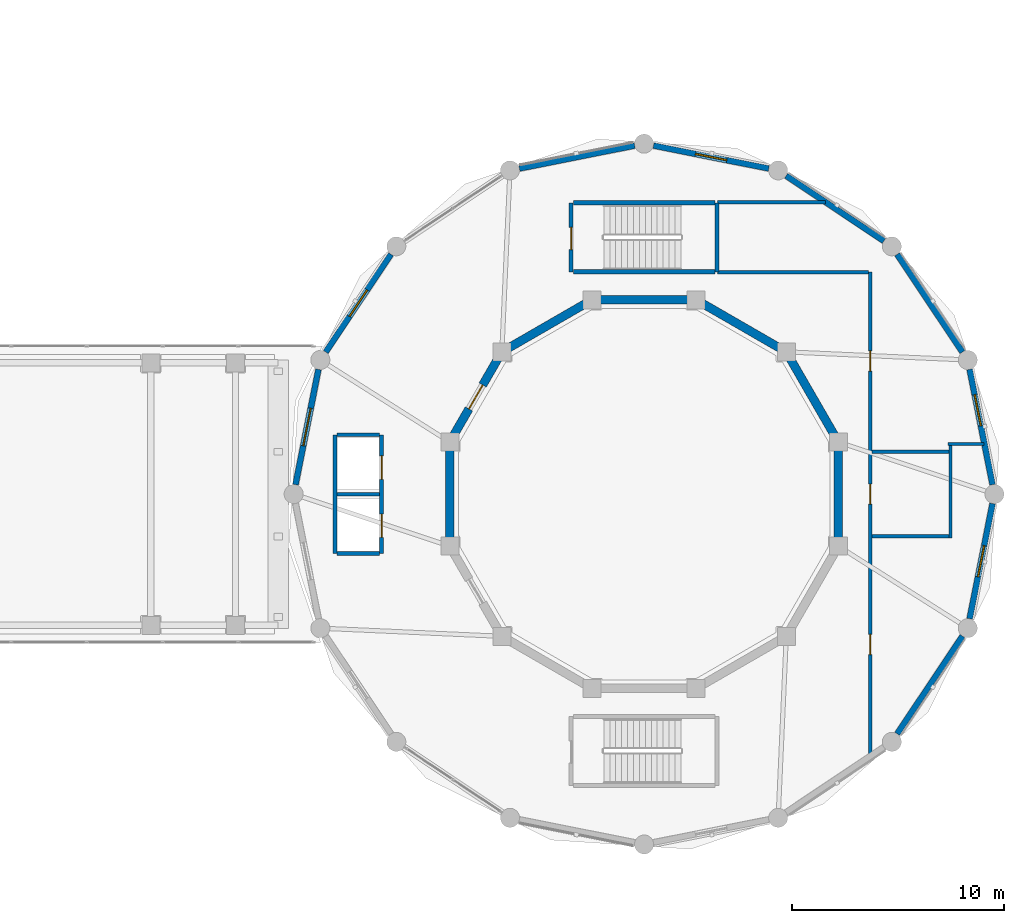
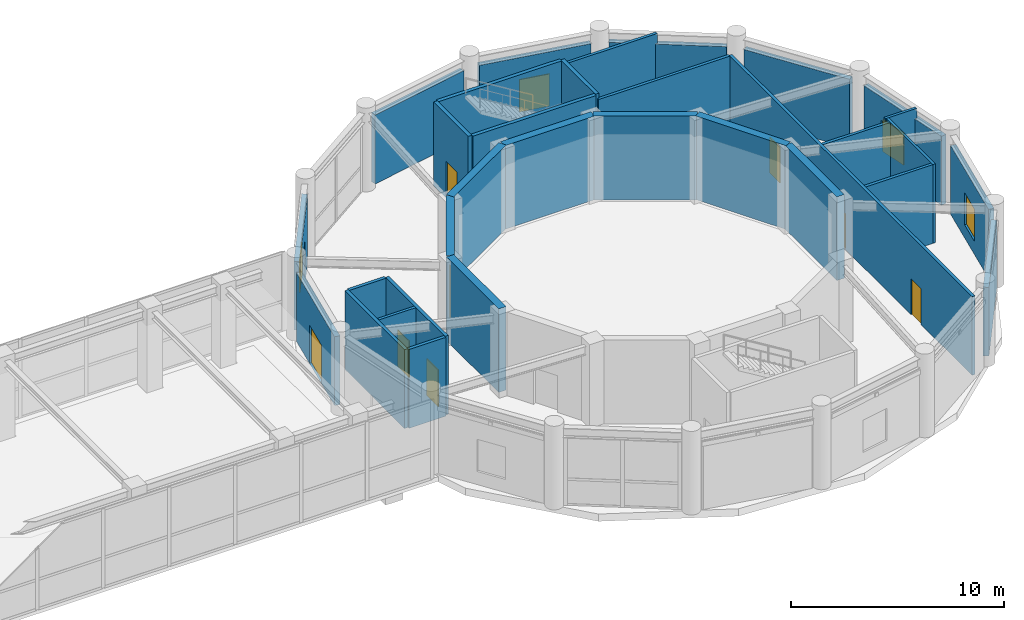
# One storey, part 36 of 48: 32 walls, 8 doors, 4 windows, 12 openings.
"""IFC4 building model written with IfcOpenShell, lengths in metres."""

from ifc_helpers import new_model, si_unit, derived_unit, direction, frame, frame_2d, origin, place, context, subcontext, project, spatial, rectangle, extrude, material, layer, layer_set, type_object, element, fill, save


model = new_model("IFC4")

# Units and contexts
model_context = context("Model", 3, precision=1e-05, world=origin(), true_north=direction((0.0, 1.0)))
body_context = subcontext(model_context, "Body", "Model", "MODEL_VIEW")
ifc_project = project(units=[si_unit("LENGTHUNIT", "METRE"), si_unit("AREAUNIT", "SQUARE_METRE"), si_unit("VOLUMEUNIT", "CUBIC_METRE"), si_unit("PLANEANGLEUNIT", "RADIAN"), si_unit("MASSUNIT", "GRAM", prefix="KILO"), derived_unit("THERMALTRANSMITTANCEUNIT", [(si_unit("POWERUNIT", "WATT"), 1), (si_unit("LENGTHUNIT", "METRE"), -2), (si_unit("THERMODYNAMICTEMPERATUREUNIT", "KELVIN"), -1)])], contexts=[model_context])

# Site, building, storey
site_placement = place(None, origin())
site = spatial("IfcSite", under=ifc_project, at=site_placement, CompositionType="ELEMENT")
building_placement = place(site_placement, origin())
building = spatial("IfcBuilding", under=site, at=building_placement, Name="Korsvarv Bourse and Concert Hall", CompositionType="ELEMENT")
storey_placement = place(building_placement, frame((0.0, 0.0, 4.800048828125)))
storey = spatial("IfcBuildingStorey", under=building, at=storey_placement, Name="L01", CompositionType="ELEMENT", Elevation=4.800048828125)

# Wall, opening, door
ifc_material_1 = material(Name="Concrete C50/60", Category="concrete")
ifc_layer_1 = layer(ifc_material_1, 0.3798828125)
ifc_layer_set_1 = layer_set([ifc_layer_1], Name="Concrete C50/60")
wall_type_1 = type_object("IfcWallType", Name="WL-CORE-380", PredefinedType="SHEAR", material=ifc_layer_set_1)
wall_1_placement = place(storey_placement, frame((103.35009765625, 46.5, 0.0), z_axis=(0.0, 0.0, 1.0), x_axis=(0.0, 1.0, 0.0)))
wall_1 = element("IfcWall", 1, at=wall_1_placement, inside=storey, type_object=wall_type_1, Name="L01 stair shaft structural wall W-L01-STCH1-W", PredefinedType="SHEAR", context=body_context, shape_type="SweptSolid", body=[
    extrude(rectangle(XDim=3.260009765625, YDim=0.199951171875, at=frame_2d((1.6298828125, 0.0))), origin(), (0.0, 0.0, 1.0), 4.800048828125),
])
opening_1_placement = place(wall_1_placement, frame((1.050048828125, 0.0, 0.0)))
opening_1 = element("IfcOpeningElement", 2, at=opening_1_placement, cuts=wall_1, Name="Opening D-01", PredefinedType="OPENING", context=body_context, shape_type="SweptSolid", body=[
    extrude(rectangle(XDim=1.050048828125, YDim=2.10009765625, at=frame_2d((0.52490234375, 1.050048828125))), frame((0.0, 0.10986328125, 0.0), z_axis=(0.0, -1.0, 0.0), x_axis=(1.0, 0.0, 0.0)), (0.0, 0.0, 1.0), 0.219970703125),
])
ifc_material_2 = material(Name="Steel S355 fire door", Category="steel")
door_type_1 = type_object("IfcDoorType", Name="DR-FD60", OperationType="NOTDEFINED", PredefinedType="DOOR", material=ifc_material_2)
door_1_placement = place(opening_1_placement, origin())
door_1 = element("IfcDoor", 3, at=door_1_placement, inside=storey, type_object=door_type_1, Name="L01 interior door DR-L01-STCH1", OperationType="SINGLE_SWING_LEFT", OverallHeight=2.10009765625, OverallWidth=1.050048828125, PredefinedType="DOOR", context=body_context, shape_type="SweptSolid", body=[
    extrude(rectangle(XDim=1.050048828125, YDim=2.10009765625, at=frame_2d((0.52490234375, 1.050048828125))), frame((0.0, 0.02490234375, 0.0), z_axis=(0.0, -1.0, 0.0), x_axis=(1.0, 0.0, 0.0)), (0.0, 0.0, 1.0), 0.050048828125),
])
fill(opening_1, door_1)

# Walls
for number, where, z_axis, x_axis, name in (
    (4, (103.4599609375, 49.760009765625, 0.0), (0.0, 0.0, 1.0), (1.0, 0.0, 0.0), "L01 stair shaft structural wall W-L01-STCH1-N"),
    (5, (103.4599609375, 46.5, 0.0), (0.0, 0.0, 1.0), (1.0, 0.0, 0.0), "L01 stair shaft structural wall W-L01-STCH1-S"),
):
    element("IfcWall", number, at=place(storey_placement, frame(where, z_axis=z_axis, x_axis=x_axis)), inside=storey, type_object=wall_type_1, Name=name, PredefinedType="SHEAR", context=body_context, shape_type="SweptSolid", body=[
        extrude(rectangle(XDim=6.679931640625, YDim=0.199951171875, at=frame_2d((3.33984375, 0.0))), origin(), (0.0, 0.0, 1.0), 4.800048828125),
    ])
wall_2_placement = place(storey_placement, frame((110.25, 46.5, 0.0), z_axis=(0.0, 0.0, 1.0), x_axis=(0.0, 1.0, 0.0)))
element("IfcWall", 6, at=wall_2_placement, inside=storey, type_object=wall_type_1, Name="L01 stair shaft structural wall W-L01-STCH1-E", PredefinedType="SHEAR", context=body_context, shape_type="SweptSolid", body=[
    extrude(rectangle(XDim=3.260009765625, YDim=0.199951171875, at=frame_2d((1.6298828125, 0.0))), origin(), (0.0, 0.0, 1.0), 4.800048828125),
])
ifc_layer_2 = layer(ifc_material_1, 0.39990234375)
ifc_layer_set_2 = layer_set([ifc_layer_2], Name="Concrete C50/60")
wall_type_2 = type_object("IfcWallType", Name="WL-DRM-400", PredefinedType="SOLIDWALL", material=ifc_layer_set_2)
for number, where, z_axis, x_axis, name in (
    (7, (115.976318359375, 38.458740234375, 0.0), (0.0, 0.0, 1.0), (-0.499988900423, 0.866031812033, 0.0), "L01 Concert Hall Acoustic Bowl Wall 1"),
    (8, (113.517578125, 42.717529296875, 0.0), (0.0, 0.0, 1.0), (-0.866031812033, 0.499988900423, 0.0), "L01 Concert Hall Acoustic Bowl Wall 2"),
    (9, (109.2587890625, 45.17626953125, 0.0), (0.0, 0.0, 1.0), (-1.0, 0.0, 0.0), "L01 Concert Hall Acoustic Bowl Wall 3"),
    (10, (104.34130859375, 45.17626953125, 0.0), (0.0, 0.0, 1.0), (-0.866031812033, -0.499988900423, 0.0), "L01 Concert Hall Acoustic Bowl Wall 4"),
):
    element("IfcWall", number, at=place(storey_placement, frame(where, z_axis=z_axis, x_axis=x_axis)), inside=storey, type_object=wall_type_2, Name=name, PredefinedType="SOLIDWALL", context=body_context, shape_type="SweptSolid", body=[
        extrude(rectangle(XDim=4.91748046875, YDim=0.39990234375, at=frame_2d((2.458740234375, 0.0))), origin(), (0.0, 0.0, 1.0), 4.800048828125),
    ])

# Wall, opening, door
wall_3_placement = place(storey_placement, frame((100.08251953125, 42.717529296875, 0.0), z_axis=(0.0, 0.0, 1.0), x_axis=(-0.499988900423, -0.866031812033, 0.0)))
wall_3 = element("IfcWall", 11, at=wall_3_placement, inside=storey, type_object=wall_type_2, Name="L01 Concert Hall Acoustic Bowl Wall 5", PredefinedType="SOLIDWALL", context=body_context, shape_type="SweptSolid", body=[
    extrude(rectangle(XDim=4.91748046875, YDim=0.39990234375, at=frame_2d((2.458740234375, 0.0))), origin(), (0.0, 0.0, 1.0), 4.800048828125),
])
opening_2_placement = place(wall_3_placement, frame((1.808837890625, 0.0, 0.0)))
opening_2 = element("IfcOpeningElement", 12, at=opening_2_placement, cuts=wall_3, Name="Opening D-04", PredefinedType="OPENING", context=body_context, shape_type="SweptSolid", body=[
    extrude(rectangle(XDim=1.300048828125, YDim=2.10009765625, at=frame_2d((0.64990234375, 1.050048828125))), frame((0.0, 0.2099609375, 0.0), z_axis=(0.0, -1.0, 0.0), x_axis=(1.0, 0.0, 0.0)), (0.0, 0.0, 1.0), 0.419921875),
])
ifc_material_3 = material(Name="Glazed aluminium double corridor door", Category="aluminium")
door_type_2 = type_object("IfcDoorType", Name="DR-INT-2", OperationType="DOUBLE_DOOR_SINGLE_SWING", PredefinedType="DOOR", material=ifc_material_3)
door_2_placement = place(opening_2_placement, frame((1.300048828125, 0.0, 0.0), z_axis=(0.0, 0.0, 1.0), x_axis=(-1.0, 0.0, 0.0)))
door_2 = element("IfcDoor", 13, at=door_2_placement, inside=storey, type_object=door_type_2, Name="L01 Symphony Auditorium acoustic door DR-L01-CHB1", OperationType="SINGLE_SWING_LEFT", OverallHeight=2.10009765625, OverallWidth=1.300048828125, PredefinedType="DOOR", context=body_context, shape_type="SweptSolid", body=[
    extrude(rectangle(XDim=1.300048828125, YDim=2.10009765625, at=frame_2d((0.64990234375, 1.050048828125))), frame((0.0, 0.02490234375, 0.0), z_axis=(0.0, -1.0, 0.0), x_axis=(1.0, 0.0, 0.0)), (0.0, 0.0, 1.0), 0.050048828125),
])
fill(opening_2, door_2)

# Walls
for number, where, z_axis, x_axis, name in (
    (14, (97.623779296875, 38.458740234375, 0.0), (0.0, 0.0, 1.0), (0.0, -1.0, 0.0), "L01 Concert Hall Acoustic Bowl Wall 6"),
    (15, (115.976318359375, 33.541259765625, 0.0), (0.0, 0.0, 1.0), (0.0, 1.0, 0.0), "L01 Concert Hall Acoustic Bowl Wall 12"),
):
    element("IfcWall", number, at=place(storey_placement, frame(where, z_axis=z_axis, x_axis=x_axis)), inside=storey, type_object=wall_type_2, Name=name, PredefinedType="SOLIDWALL", context=body_context, shape_type="SweptSolid", body=[
        extrude(rectangle(XDim=4.91748046875, YDim=0.39990234375, at=frame_2d((2.458740234375, 0.0))), origin(), (0.0, 0.0, 1.0), 4.800048828125),
    ])

# Wall, opening, window
ifc_material_4 = material(Name="Precast concrete C45/55 with fluted terracotta pier", Category="concrete")
ifc_layer_3 = layer(ifc_material_4, 0.280029296875)
ifc_layer_set_3 = layer_set([ifc_layer_3], Name="Precast concrete C45/55 with fluted terracotta pier")
wall_type_3 = type_object("IfcWallType", Name="WL-EXT-TC2", PredefinedType="SOLIDWALL", material=ifc_layer_set_3)
wall_4_placement = place(storey_placement, frame((123.26123046875, 36.4462890625, 0.0), z_axis=(0.0, 0.0, 1.0), x_axis=(-0.195091972221, 0.980784952156, 0.0)))
wall_4 = element("IfcWall", 16, at=wall_4_placement, inside=storey, type_object=wall_type_3, Name="L01 terracotta exterior wall EW-L01-CHD01", PredefinedType="SOLIDWALL", context=body_context, shape_type="SweptSolid", body=[
    extrude(rectangle(XDim=5.547607421875, YDim=0.280029296875, at=frame_2d((2.77392578125, 0.0))), origin(), (0.0, 0.0, 1.0), 3.949951171875),
])
opening_3_placement = place(wall_4_placement, frame((2.83544921875, 0.0, 0.75)))
opening_3 = element("IfcOpeningElement", 17, at=opening_3_placement, cuts=wall_4, Name="Opening W-04", PredefinedType="OPENING", context=body_context, shape_type="SweptSolid", body=[
    extrude(rectangle(XDim=1.5, YDim=1.85009765625, at=frame_2d((0.75, 0.925048828125))), frame((0.0, 0.14990234375, 0.0), z_axis=(0.0, -1.0, 0.0), x_axis=(1.0, 0.0, 0.0)), (0.0, 0.0, 1.0), 0.300048828125),
])
ifc_material_5 = material(Name="Thermally broken aluminium frame with triple low-E glass", Category="glass")
window_type = type_object("IfcWindowType", Name="WIN-POD2", PartitioningType="SINGLE_PANEL", PredefinedType="WINDOW", material=ifc_material_5)
window_1_placement = place(opening_3_placement, origin())
window_1 = element("IfcWindow", 18, at=window_1_placement, inside=storey, type_object=window_type, Name="L01 punched facade window W-04", OverallHeight=1.85009765625, OverallWidth=1.5, PartitioningType="SINGLE_PANEL", PredefinedType="WINDOW", context=body_context, shape_type="SweptSolid", body=[
    extrude(rectangle(XDim=1.5, YDim=1.85009765625, at=frame_2d((0.75, 0.925048828125))), frame((0.0, 0.030029296875, 0.0), z_axis=(0.0, -1.0, 0.0), x_axis=(1.0, 0.0, 0.0)), (0.0, 0.0, 1.0), 0.06005859375),
])
fill(opening_3, window_1)

# Walls
for number, where, z_axis, x_axis, name in (
    (19, (121.83740234375, 42.711669921875, 0.0), (0.0, 0.0, 1.0), (-0.555573305798, 0.831467559129, 0.0), "L01 terracotta exterior wall EW-L01-CHD02"),
    (20, (118.124267578125, 47.955322265625, 0.0), (0.0, 0.0, 1.0), (-0.831467559129, 0.555573305798, 0.0), "L01 terracotta exterior wall EW-L01-CHD03"),
):
    element("IfcWall", number, at=place(storey_placement, frame(where, z_axis=z_axis, x_axis=x_axis)), inside=storey, type_object=wall_type_3, Name=name, PredefinedType="SOLIDWALL", context=body_context, shape_type="SweptSolid", body=[
        extrude(rectangle(XDim=5.54736328125, YDim=0.280029296875, at=frame_2d((2.773681640625, 0.0))), origin(), (0.0, 0.0, 1.0), 3.949951171875),
    ])

# Wall, opening, window
wall_5_placement = place(storey_placement, frame((112.68701171875, 51.37890625, 0.0), z_axis=(0.0, 0.0, 1.0), x_axis=(-0.980783277025, 0.195100393406, 0.0)))
wall_5 = element("IfcWall", 21, at=wall_5_placement, inside=storey, type_object=wall_type_3, Name="L01 terracotta exterior wall EW-L01-CHD04", PredefinedType="SOLIDWALL", context=body_context, shape_type="SweptSolid", body=[
    extrude(rectangle(XDim=5.54736328125, YDim=0.280029296875, at=frame_2d((2.773681640625, 0.0))), origin(), (0.0, 0.0, 1.0), 3.949951171875),
])
opening_4_placement = place(wall_5_placement, frame((2.023681640625, 0.0, 0.75)))
opening_4 = element("IfcOpeningElement", 22, at=opening_4_placement, cuts=wall_5, Name="Opening W-04", PredefinedType="OPENING", context=body_context, shape_type="SweptSolid", body=[
    extrude(rectangle(XDim=1.5, YDim=1.85009765625, at=frame_2d((0.75, 0.925048828125))), frame((0.0, 0.14990234375, 0.0), z_axis=(0.0, -1.0, 0.0), x_axis=(1.0, 0.0, 0.0)), (0.0, 0.0, 1.0), 0.300048828125),
])
window_2_placement = place(opening_4_placement, origin())
window_2 = element("IfcWindow", 23, at=window_2_placement, inside=storey, type_object=window_type, Name="L01 punched facade window W-04", OverallHeight=1.85009765625, OverallWidth=1.5, PartitioningType="SINGLE_PANEL", PredefinedType="WINDOW", context=body_context, shape_type="SweptSolid", body=[
    extrude(rectangle(XDim=1.5, YDim=1.85009765625, at=frame_2d((0.75, 0.925048828125))), frame((0.0, 0.030029296875, 0.0), z_axis=(0.0, -1.0, 0.0), x_axis=(1.0, 0.0, 0.0)), (0.0, 0.0, 1.0), 0.06005859375),
])
fill(opening_4, window_2)

# Wall
wall_6_placement = place(storey_placement, frame((106.353759765625, 52.461181640625, 0.0), z_axis=(0.0, 0.0, 1.0), x_axis=(-0.980784952156, -0.195091972221, 0.0)))
element("IfcWall", 24, at=wall_6_placement, inside=storey, type_object=wall_type_3, Name="L01 terracotta exterior wall EW-L01-CHD05", PredefinedType="SOLIDWALL", context=body_context, shape_type="SweptSolid", body=[
    extrude(rectangle(XDim=5.547607421875, YDim=0.280029296875, at=frame_2d((2.77392578125, 0.0))), origin(), (0.0, 0.0, 1.0), 3.949951171875),
])

# Wall, opening, window
wall_7_placement = place(storey_placement, frame((94.844482421875, 47.32421875, 0.0), z_axis=(0.0, 0.0, 1.0), x_axis=(-0.555542879373, -0.831487888774, 0.0)))
wall_7 = element("IfcWall", 25, at=wall_7_placement, inside=storey, type_object=wall_type_3, Name="L01 terracotta exterior wall EW-L01-CHD07", PredefinedType="SOLIDWALL", context=body_context, shape_type="SweptSolid", body=[
    extrude(rectangle(XDim=5.54736328125, YDim=0.280029296875, at=frame_2d((2.773681640625, 0.0))), origin(), (0.0, 0.0, 1.0), 3.949951171875),
])
opening_5_placement = place(wall_7_placement, frame((2.023681640625, 0.0, 0.75)))
opening_5 = element("IfcOpeningElement", 26, at=opening_5_placement, cuts=wall_7, Name="Opening W-04", PredefinedType="OPENING", context=body_context, shape_type="SweptSolid", body=[
    extrude(rectangle(XDim=1.5, YDim=1.85009765625, at=frame_2d((0.75, 0.925048828125))), frame((0.0, 0.14990234375, 0.0), z_axis=(0.0, -1.0, 0.0), x_axis=(1.0, 0.0, 0.0)), (0.0, 0.0, 1.0), 0.300048828125),
])
window_3_placement = place(opening_5_placement, origin())
window_3 = element("IfcWindow", 27, at=window_3_placement, inside=storey, type_object=window_type, Name="L01 punched facade window W-04", OverallHeight=1.85009765625, OverallWidth=1.5, PartitioningType="SINGLE_PANEL", PredefinedType="WINDOW", context=body_context, shape_type="SweptSolid", body=[
    extrude(rectangle(XDim=1.5, YDim=1.85009765625, at=frame_2d((0.75, 0.925048828125))), frame((0.0, 0.030029296875, 0.0), z_axis=(0.0, -1.0, 0.0), x_axis=(1.0, 0.0, 0.0)), (0.0, 0.0, 1.0), 0.06005859375),
])
fill(opening_5, window_3)

# Wall, opening, door
wall_8_placement = place(storey_placement, frame((91.4208984375, 41.88720703125, 0.0), z_axis=(0.0, 0.0, 1.0), x_axis=(-0.19504963768, -0.980793372144, 0.0)))
wall_8 = element("IfcWall", 28, at=wall_8_placement, inside=storey, type_object=wall_type_3, Name="L01 terracotta exterior wall EW-L01-CHD08", PredefinedType="SOLIDWALL", context=body_context, shape_type="SweptSolid", body=[
    extrude(rectangle(XDim=5.54736328125, YDim=0.280029296875, at=frame_2d((2.773681640625, 0.0))), origin(), (0.0, 0.0, 1.0), 3.949951171875),
])
opening_6_placement = place(wall_8_placement, frame((1.873779296875, 0.0, 0.0)))
opening_6 = element("IfcOpeningElement", 29, at=opening_6_placement, cuts=wall_8, Name="Opening ED-03", PredefinedType="OPENING", context=body_context, shape_type="SweptSolid", body=[
    extrude(rectangle(XDim=1.800048828125, YDim=2.199951171875, at=frame_2d((0.89990234375, 1.10009765625))), frame((0.0, 0.14990234375, 0.0), z_axis=(0.0, -1.0, 0.0), x_axis=(1.0, 0.0, 0.0)), (0.0, 0.0, 1.0), 0.300048828125),
])
ifc_material_6 = material(Name="Thermally broken anodised aluminium and laminated safety glass", Category="aluminium")
door_type_3 = type_object("IfcDoorType", Name="DR-EXT-EXIT-1800X2200", OperationType="DOUBLE_DOOR_SINGLE_SWING", PredefinedType="DOOR", material=ifc_material_6)
door_3_placement = place(opening_6_placement, frame((1.800048828125, 0.0, 0.0), z_axis=(0.0, 0.0, 1.0), x_axis=(-1.0, 0.0, 0.0)))
door_3 = element("IfcDoor", 30, at=door_3_placement, inside=storey, type_object=door_type_3, Name="L01 Concert Hall Link Bridge Portal Door 8", OperationType="DOUBLE_DOOR_SINGLE_SWING", OverallHeight=2.199951171875, OverallWidth=1.800048828125, PredefinedType="DOOR", context=body_context, shape_type="SweptSolid", body=[
    extrude(rectangle(XDim=1.800048828125, YDim=2.199951171875, at=frame_2d((0.89990234375, 1.10009765625))), frame((0.0, 0.02490234375, 0.0), z_axis=(0.0, -1.0, 0.0), x_axis=(1.0, 0.0, 0.0)), (0.0, 0.0, 1.0), 0.050048828125),
])
fill(opening_6, door_3)

# Wall
wall_9_placement = place(storey_placement, frame((118.75537109375, 24.67578125, 0.0), z_axis=(0.0, 0.0, 1.0), x_axis=(0.555573305798, 0.831467559129, 0.0)))
element("IfcWall", 31, at=wall_9_placement, inside=storey, type_object=wall_type_3, Name="L01 terracotta exterior wall EW-L01-CHD15", PredefinedType="SOLIDWALL", context=body_context, shape_type="SweptSolid", body=[
    extrude(rectangle(XDim=5.54736328125, YDim=0.280029296875, at=frame_2d((2.773681640625, 0.0))), origin(), (0.0, 0.0, 1.0), 3.949951171875),
])

# Wall, opening, window
wall_10_placement = place(storey_placement, frame((122.178955078125, 30.11279296875, 0.0), z_axis=(0.0, 0.0, 1.0), x_axis=(0.195091972221, 0.980784952156, 0.0)))
wall_10 = element("IfcWall", 32, at=wall_10_placement, inside=storey, type_object=wall_type_3, Name="L01 terracotta exterior wall EW-L01-CHD16", PredefinedType="SOLIDWALL", context=body_context, shape_type="SweptSolid", body=[
    extrude(rectangle(XDim=5.547607421875, YDim=0.280029296875, at=frame_2d((2.77392578125, 0.0))), origin(), (0.0, 0.0, 1.0), 3.949951171875),
])
opening_7_placement = place(wall_10_placement, frame((2.023681640625, 0.0, 0.75)))
opening_7 = element("IfcOpeningElement", 33, at=opening_7_placement, cuts=wall_10, Name="Opening W-04", PredefinedType="OPENING", context=body_context, shape_type="SweptSolid", body=[
    extrude(rectangle(XDim=1.5, YDim=1.85009765625, at=frame_2d((0.75, 0.925048828125))), frame((0.0, 0.14990234375, 0.0), z_axis=(0.0, -1.0, 0.0), x_axis=(1.0, 0.0, 0.0)), (0.0, 0.0, 1.0), 0.300048828125),
])
window_4_placement = place(opening_7_placement, origin())
window_4 = element("IfcWindow", 34, at=window_4_placement, inside=storey, type_object=window_type, Name="L01 punched facade window W-04", OverallHeight=1.85009765625, OverallWidth=1.5, PartitioningType="SINGLE_PANEL", PredefinedType="WINDOW", context=body_context, shape_type="SweptSolid", body=[
    extrude(rectangle(XDim=1.5, YDim=1.85009765625, at=frame_2d((0.75, 0.925048828125))), frame((0.0, 0.030029296875, 0.0), z_axis=(0.0, -1.0, 0.0), x_axis=(1.0, 0.0, 0.0)), (0.0, 0.0, 1.0), 0.06005859375),
])
fill(opening_7, window_4)

# Wall, openings, doors
ifc_material_7 = material(Name="Double-stud fire-rated acoustic partition", Category="gypsum")
ifc_layer_4 = layer(ifc_material_7, 0.159912109375)
ifc_layer_set_4 = layer_set([ifc_layer_4], Name="Double-stud fire-rated acoustic partition")
wall_type_4 = type_object("IfcWallType", Name="WL-INT-EI60", PredefinedType="PARTITIONING", material=ifc_layer_set_4)
wall_11_placement = place(storey_placement, frame((117.47509765625, 23.630859375, 0.0), z_axis=(0.0, 0.0, 1.0), x_axis=(0.0, 1.0, 0.0)))
wall_11 = element("IfcWall", 35, at=wall_11_placement, inside=storey, type_object=wall_type_4, Name="L01 interior partition wall W-L01-CHFOY-01", PredefinedType="PARTITIONING", context=body_context, shape_type="SweptSolid", body=[
    extrude(rectangle(XDim=22.84912109375, YDim=0.159912109375, at=frame_2d((11.424560546875, 0.0))), origin(), (0.0, 0.0, 1.0), 4.52001953125),
])
opening_8_placement = place(wall_11_placement, frame((11.894287109375, 0.0, 0.0)))
opening_8 = element("IfcOpeningElement", 36, at=opening_8_placement, cuts=wall_11, Name="Opening D-02", PredefinedType="OPENING", context=body_context, shape_type="SweptSolid", body=[
    extrude(rectangle(XDim=0.949951171875, YDim=2.050048828125, at=frame_2d((0.47509765625, 1.02490234375))), frame((0.0, 0.08984375, 0.0), z_axis=(0.0, -1.0, 0.0), x_axis=(1.0, 0.0, 0.0)), (0.0, 0.0, 1.0), 0.179931640625),
])
opening_9_placement = place(wall_11_placement, frame((4.791259765625, 0.0, 0.0)))
opening_9 = element("IfcOpeningElement", 37, at=opening_9_placement, cuts=wall_11, Name="Opening D-02", PredefinedType="OPENING", context=body_context, shape_type="SweptSolid", body=[
    extrude(rectangle(XDim=0.949951171875, YDim=2.050048828125, at=frame_2d((0.47509765625, 1.02490234375))), frame((0.0, 0.08984375, 0.0), z_axis=(0.0, -1.0, 0.0), x_axis=(1.0, 0.0, 0.0)), (0.0, 0.0, 1.0), 0.179931640625),
])
opening_10_placement = place(wall_11_placement, frame((18.17919921875, 0.0, 0.0)))
opening_10 = element("IfcOpeningElement", 38, at=opening_10_placement, cuts=wall_11, Name="Opening D-02", PredefinedType="OPENING", context=body_context, shape_type="SweptSolid", body=[
    extrude(rectangle(XDim=0.949951171875, YDim=2.050048828125, at=frame_2d((0.47509765625, 1.02490234375))), frame((0.0, 0.08984375, 0.0), z_axis=(0.0, -1.0, 0.0), x_axis=(1.0, 0.0, 0.0)), (0.0, 0.0, 1.0), 0.179931640625),
])
ifc_material_8 = material(Name="Timber and steel acoustic fire door", Category="wood")
door_type_4 = type_object("IfcDoorType", Name="DR-FD30", OperationType="NOTDEFINED", PredefinedType="DOOR", material=ifc_material_8)
door_4_placement = place(opening_8_placement, origin())
door_4 = element("IfcDoor", 39, at=door_4_placement, inside=storey, type_object=door_type_4, Name="L01 interior door DR-L01-CHFOY-RWC", OperationType="SINGLE_SWING_LEFT", OverallHeight=2.050048828125, OverallWidth=0.949951171875, PredefinedType="DOOR", context=body_context, shape_type="SweptSolid", body=[
    extrude(rectangle(XDim=0.949951171875, YDim=2.050048828125, at=frame_2d((0.47509765625, 1.02490234375))), frame((0.0, 0.02490234375, 0.0), z_axis=(0.0, -1.0, 0.0), x_axis=(1.0, 0.0, 0.0)), (0.0, 0.0, 1.0), 0.050048828125),
])
fill(opening_8, door_4)
door_5_placement = place(opening_9_placement, origin())
door_5 = element("IfcDoor", 40, at=door_5_placement, inside=storey, type_object=door_type_4, Name="L01 interior door DR-L01-CHFOY-CHWC1", OperationType="SINGLE_SWING_RIGHT", OverallHeight=2.050048828125, OverallWidth=0.949951171875, PredefinedType="DOOR", context=body_context, shape_type="SweptSolid", body=[
    extrude(rectangle(XDim=0.949951171875, YDim=2.050048828125, at=frame_2d((0.47509765625, 1.02490234375))), frame((0.0, 0.02490234375, 0.0), z_axis=(0.0, -1.0, 0.0), x_axis=(1.0, 0.0, 0.0)), (0.0, 0.0, 1.0), 0.050048828125),
])
fill(opening_9, door_5)
door_6_placement = place(opening_10_placement, origin())
door_6 = element("IfcDoor", 41, at=door_6_placement, inside=storey, type_object=door_type_4, Name="L01 interior door DR-L01-CHFOY-CHSUP2", OperationType="SINGLE_SWING_LEFT", OverallHeight=2.050048828125, OverallWidth=0.949951171875, PredefinedType="DOOR", context=body_context, shape_type="SweptSolid", body=[
    extrude(rectangle(XDim=0.949951171875, YDim=2.050048828125, at=frame_2d((0.47509765625, 1.02490234375))), frame((0.0, 0.02490234375, 0.0), z_axis=(0.0, -1.0, 0.0), x_axis=(1.0, 0.0, 0.0)), (0.0, 0.0, 1.0), 0.050048828125),
])
fill(opening_10, door_6)

# Walls
wall_12_placement = place(storey_placement, frame((110.27001953125, 46.47509765625, 0.0), z_axis=(0.0, 0.0, 1.0), x_axis=(1.0, 0.0, 0.0)))
element("IfcWall", 42, at=wall_12_placement, inside=storey, type_object=wall_type_4, Name="L01 interior partition wall W-L01-CHFOY-02", PredefinedType="PARTITIONING", context=body_context, shape_type="SweptSolid", body=[
    extrude(rectangle(XDim=7.123046875, YDim=0.159912109375, at=frame_2d((3.5615234375, 0.0))), origin(), (0.0, 0.0, 1.0), 4.52001953125),
])
wall_13_placement = place(storey_placement, frame((110.27001953125, 49.784912109375, 0.0), z_axis=(0.0, 0.0, 1.0), x_axis=(1.0, 0.0, 0.0)))
element("IfcWall", 43, at=wall_13_placement, inside=storey, type_object=wall_type_4, Name="L01 interior partition wall W-L01-CHFOY-03", PredefinedType="PARTITIONING", context=body_context, shape_type="SweptSolid", body=[
    extrude(rectangle(XDim=5.09619140625, YDim=0.159912109375, at=frame_2d((2.548095703125, 0.0))), origin(), (0.0, 0.0, 1.0), 4.52001953125),
])
for number, where, z_axis, x_axis, name in (
    (44, (117.556884765625, 38.0, 0.0), (0.0, 0.0, 1.0), (1.0, 0.0, 0.0), "L01 interior partition wall W-L01-CHFOY-04"),
    (45, (117.556884765625, 34.0, 0.0), (0.0, 0.0, 1.0), (1.0, 0.0, 0.0), "L01 interior partition wall W-L01-CHFOY-05"),
):
    element("IfcWall", number, at=place(storey_placement, frame(where, z_axis=z_axis, x_axis=x_axis)), inside=storey, type_object=wall_type_4, Name=name, PredefinedType="PARTITIONING", context=body_context, shape_type="SweptSolid", body=[
        extrude(rectangle(XDim=3.64599609375, YDim=0.159912109375, at=frame_2d((1.822998046875, 0.0))), origin(), (0.0, 0.0, 1.0), 4.52001953125),
    ])

# Wall, openings, doors
ifc_material_9 = material(Name="Gypsum-clad autoclaved concrete shaft wall C30/37", Category="concrete")
ifc_layer_5 = layer(ifc_material_9, 0.179931640625)
ifc_layer_set_5 = layer_set([ifc_layer_5], Name="Gypsum-clad autoclaved concrete shaft wall C30/37")
wall_type_5 = type_object("IfcWallType", Name="WL-INT-EI90", PredefinedType="PARTITIONING", material=ifc_layer_set_5)
wall_14_placement = place(storey_placement, frame((94.39990234375, 33.199951171875, 0.0), z_axis=(0.0, 0.0, 1.0), x_axis=(0.0, 1.0, 0.0)))
wall_14 = element("IfcWall", 46, at=wall_14_placement, inside=storey, type_object=wall_type_5, Name="L01 interior partition wall W-L01-CHLF-E", PredefinedType="PARTITIONING", context=body_context, shape_type="SweptSolid", body=[
    extrude(rectangle(XDim=5.60009765625, YDim=0.179931640625, at=frame_2d((2.800048828125, 0.0))), origin(), (0.0, 0.0, 1.0), 4.52001953125),
])
opening_11_placement = place(wall_14_placement, frame((3.5, 0.0, 0.0)))
opening_11 = element("IfcOpeningElement", 47, at=opening_11_placement, cuts=wall_14, Name="Opening LD-2", PredefinedType="OPENING", context=body_context, shape_type="SweptSolid", body=[
    extrude(rectangle(XDim=1.10009765625, YDim=2.10009765625, at=frame_2d((0.550048828125, 1.050048828125))), frame((0.0, 0.10009765625, 0.0), z_axis=(0.0, -1.0, 0.0), x_axis=(1.0, 0.0, 0.0)), (0.0, 0.0, 1.0), 0.199951171875),
])
opening_12_placement = place(wall_14_placement, frame((0.75, 0.0, 0.0)))
opening_12 = element("IfcOpeningElement", 48, at=opening_12_placement, cuts=wall_14, Name="Opening LD-2", PredefinedType="OPENING", context=body_context, shape_type="SweptSolid", body=[
    extrude(rectangle(XDim=1.10009765625, YDim=2.10009765625, at=frame_2d((0.550048828125, 1.050048828125))), frame((0.0, 0.10009765625, 0.0), z_axis=(0.0, -1.0, 0.0), x_axis=(1.0, 0.0, 0.0)), (0.0, 0.0, 1.0), 0.199951171875),
])
ifc_material_10 = material(Name="Brushed stainless Steel S355 lift landing door", Category="steel")
door_type_5 = type_object("IfcDoorType", Name="DR-LIFT-P", OperationType="DOUBLE_DOOR_SLIDING", PredefinedType="DOOR", material=ifc_material_10)
door_7_placement = place(opening_11_placement, origin())
door_7 = element("IfcDoor", 49, at=door_7_placement, inside=storey, type_object=door_type_5, Name="L01 lift sliding landing door LD-L01-CHL1", OperationType="DOUBLE_DOOR_SLIDING", OverallHeight=2.10009765625, OverallWidth=1.10009765625, PredefinedType="DOOR", context=body_context, shape_type="SweptSolid", body=[
    extrude(rectangle(XDim=1.10009765625, YDim=2.10009765625, at=frame_2d((0.550048828125, 1.050048828125))), frame((0.0, 0.02490234375, 0.0), z_axis=(0.0, -1.0, 0.0), x_axis=(1.0, 0.0, 0.0)), (0.0, 0.0, 1.0), 0.050048828125),
])
fill(opening_11, door_7)
door_8_placement = place(opening_12_placement, origin())
door_8 = element("IfcDoor", 50, at=door_8_placement, inside=storey, type_object=door_type_5, Name="L01 lift sliding landing door LD-L01-CHL2", OperationType="DOUBLE_DOOR_SLIDING", OverallHeight=2.10009765625, OverallWidth=1.10009765625, PredefinedType="DOOR", context=body_context, shape_type="SweptSolid", body=[
    extrude(rectangle(XDim=1.10009765625, YDim=2.10009765625, at=frame_2d((0.550048828125, 1.050048828125))), frame((0.0, 0.02490234375, 0.0), z_axis=(0.0, -1.0, 0.0), x_axis=(1.0, 0.0, 0.0)), (0.0, 0.0, 1.0), 0.050048828125),
])
fill(opening_12, door_8)

# Walls
wall_15_placement = place(storey_placement, frame((92.199951171875, 33.199951171875, 0.0), z_axis=(0.0, 0.0, 1.0), x_axis=(0.0, 1.0, 0.0)))
element("IfcWall", 51, at=wall_15_placement, inside=storey, type_object=wall_type_5, Name="L01 interior partition wall W-L01-CHLF-W", PredefinedType="PARTITIONING", context=body_context, shape_type="SweptSolid", body=[
    extrude(rectangle(XDim=5.60009765625, YDim=0.179931640625, at=frame_2d((2.800048828125, 0.0))), origin(), (0.0, 0.0, 1.0), 4.52001953125),
])
for number, where, z_axis, x_axis, name in (
    (52, (92.300048828125, 38.800048828125, 0.0), (0.0, 0.0, 1.0), (1.0, 0.0, 0.0), "L01 interior partition wall W-L01-CHLF-N"),
    (53, (92.300048828125, 33.199951171875, 0.0), (0.0, 0.0, 1.0), (1.0, 0.0, 0.0), "L01 interior partition wall W-L01-CHLF-S"),
):
    element("IfcWall", number, at=place(storey_placement, frame(where, z_axis=z_axis, x_axis=x_axis)), inside=storey, type_object=wall_type_5, Name=name, PredefinedType="PARTITIONING", context=body_context, shape_type="SweptSolid", body=[
        extrude(rectangle(XDim=2.0, YDim=0.179931640625, at=frame_2d((1.0, 0.0))), origin(), (0.0, 0.0, 1.0), 4.52001953125),
    ])
wall_16_placement = place(storey_placement, frame((92.300048828125, 36.0, 0.0), z_axis=(0.0, 0.0, 1.0), x_axis=(1.0, 0.0, 0.0)))
element("IfcWall", 54, at=wall_16_placement, inside=storey, type_object=wall_type_5, Name="L01 interior partition wall W-L01-CHLF-M", PredefinedType="PARTITIONING", context=body_context, shape_type="SweptSolid", body=[
    extrude(rectangle(XDim=2.0, YDim=0.159912109375, at=frame_2d((1.0, 0.0))), origin(), (0.0, 0.0, 1.0), 4.52001953125),
])
ifc_material_11 = material(Name="Insulated steel-stud office acoustic partition", Category="gypsum")
ifc_layer_6 = layer(ifc_material_11, 0.139892578125)
ifc_layer_set_6 = layer_set([ifc_layer_6], Name="Insulated steel-stud office acoustic partition")
wall_type_6 = type_object("IfcWallType", Name="WL-INT-P1", PredefinedType="PARTITIONING", material=ifc_layer_set_6)
wall_17_placement = place(storey_placement, frame((121.27490234375, 33.919921875, 0.0), z_axis=(0.0, 0.0, 1.0), x_axis=(0.0, 1.0, 0.0)))
element("IfcWall", 55, at=wall_17_placement, inside=storey, type_object=wall_type_6, Name="L01 interior partition wall W-L01-CHFOY-06", PredefinedType="PARTITIONING", context=body_context, shape_type="SweptSolid", body=[
    extrude(rectangle(XDim=4.372314453125, YDim=0.139892578125, at=frame_2d((2.18603515625, 0.0))), origin(), (0.0, 0.0, 1.0), 4.52001953125),
])
wall_18_placement = place(storey_placement, frame((121.15625, 38.3642578125, 0.0), z_axis=(0.0, 0.0, 1.0), x_axis=(0.999999907557, 0.000429984194, 0.0)))
element("IfcWall", 56, at=wall_18_placement, inside=storey, type_object=wall_type_6, Name="L01 interior partition wall W-L01-CHFOY-07", PredefinedType="PARTITIONING", context=body_context, shape_type="SweptSolid", body=[
    extrude(rectangle(XDim=1.703369140625, YDim=0.139892578125, at=frame_2d((0.8515625, 0.0))), origin(), (0.0, 0.0, 1.0), 4.52001953125),
])

save(model, "model.ifc")
